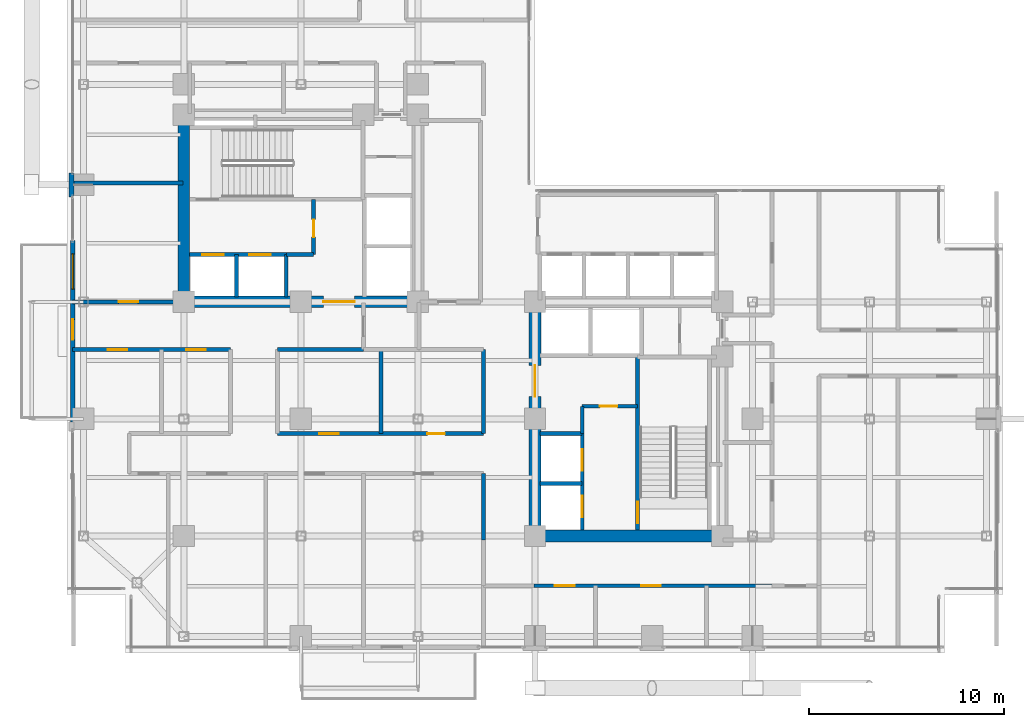
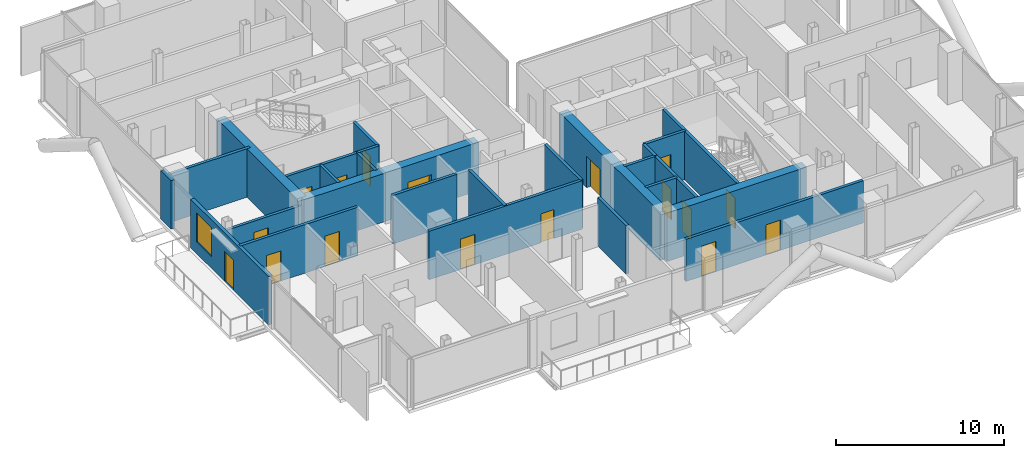
# One storey, part 19 of 24: 26 walls, 17 doors, 1 window, 18 openings.
"""IFC4 building model written with IfcOpenShell, lengths in metres."""

from ifc_helpers import new_model, si_unit, direction, frame, frame_2d, origin, place, context, subcontext, project, spatial, rectangle, extrude, material, layer, layer_set, type_object, element, fill, save


model = new_model("IFC4")

# Units and contexts
model_context = context("Model", 3, precision=1e-05, world=origin(), true_north=direction((0.0, 1.0)))
body_context = subcontext(model_context, "Body", "Model", "MODEL_VIEW")
ifc_project = project(units=[si_unit("LENGTHUNIT", "METRE"), si_unit("AREAUNIT", "SQUARE_METRE"), si_unit("VOLUMEUNIT", "CUBIC_METRE"), si_unit("PLANEANGLEUNIT", "RADIAN"), si_unit("MASSUNIT", "GRAM", prefix="KILO"), si_unit("THERMODYNAMICTEMPERATUREUNIT", "KELVIN"), si_unit("POWERUNIT", "WATT")], contexts=[model_context])

# Site, building, storey
site_placement = place(None, origin())
site = spatial("IfcSite", under=ifc_project, at=site_placement, CompositionType="ELEMENT")
building_placement = place(site_placement, origin())
building = spatial("IfcBuilding", under=site, at=building_placement, Name="Svarakhadi Broadcast Tower", CompositionType="ELEMENT")
storey_placement = place(building_placement, frame((0.0, 0.0, 115.64990234375)))
storey = spatial("IfcBuildingStorey", under=building, at=storey_placement, Name="L27", CompositionType="ELEMENT", Elevation=115.64990234375)

# Wall
ifc_material_1 = material(Name="Double-Stud Acoustic Studio Partition STC-62", Category="gypsum")
ifc_layer_1 = layer(ifc_material_1, 0.199951171875)
ifc_layer_set_1 = layer_set([ifc_layer_1], Name="Double-Stud Acoustic Studio Partition STC-62")
wall_type_1 = type_object("IfcWallType", Name="Wall_Acoust_200", PredefinedType="PARTITIONING", material=ifc_layer_set_1)
wall_1_placement = place(storey_placement, frame((16.10009765625, 11.25, 0.0), z_axis=(0.0, 0.0, 1.0), x_axis=(0.0, 1.0, 0.0)))
element("IfcWall", 1, at=wall_1_placement, inside=storey, type_object=wall_type_1, Name="L27 Central Review Briefing Pod Wall", PredefinedType="PARTITIONING", context=body_context, shape_type="SweptSolid", body=[
    extrude(rectangle(XDim=4.300048828125, YDim=0.199951171875, at=frame_2d((2.14990234375, 0.0))), origin(), (0.0, 0.0, 1.0), 3.525146484375),
])

# Wall, opening, door
wall_2_placement = place(storey_placement, frame((0.300048828125, 18.0, 0.0), z_axis=(0.0, 0.0, 1.0), x_axis=(1.0, 0.0, 0.0)))
wall_2 = element("IfcWall", 2, at=wall_2_placement, inside=storey, type_object=wall_type_1, Name="L27 Arabian Sea Executive Studio Wall", PredefinedType="PARTITIONING", context=body_context, shape_type="SweptSolid", body=[
    extrude(rectangle(XDim=5.64990234375, YDim=0.199951171875, at=frame_2d((2.824951171875, 0.0))), origin(), (0.0, 0.0, 1.0), 3.01708984375),
])
opening_1_placement = place(wall_2_placement, frame((2.35009765625, 0.0, 0.0)))
opening_1 = element("IfcOpeningElement", 3, at=opening_1_placement, cuts=wall_2, Name="Opening D-09", PredefinedType="OPENING", context=body_context, shape_type="SweptSolid", body=[
    extrude(rectangle(XDim=1.0, YDim=2.199951171875, at=frame_2d((0.5, 1.10009765625))), frame((0.0, 0.10986328125, 0.0), z_axis=(0.0, -1.0, 0.0), x_axis=(1.0, 0.0, 0.0)), (0.0, 0.0, 1.0), 0.219970703125),
])
ifc_material_2 = material(Name="Solid-Core Teak Veneer Acoustic Timber Leaf", Category="wood")
door_type_1 = type_object("IfcDoorType", Name="Door_Suite_D09", OperationType="SINGLE_SWING_RIGHT", PredefinedType="DOOR", material=ifc_material_2)
door_1_placement = place(opening_1_placement, origin())
door_1 = element("IfcDoor", 4, at=door_1_placement, inside=storey, type_object=door_type_1, Name="L27 Arabian Sea Executive Studio Door", OperationType="SINGLE_SWING_RIGHT", OverallHeight=2.199951171875, OverallWidth=1.0, PredefinedType="DOOR", context=body_context, shape_type="SweptSolid", body=[
    extrude(rectangle(XDim=1.0, YDim=2.199951171875, at=frame_2d((0.5, 1.10009765625))), frame((0.0, 0.02490234375, 0.0), z_axis=(0.0, -1.0, 0.0), x_axis=(1.0, 0.0, 0.0)), (0.0, 0.0, 1.0), 0.050048828125),
])
fill(opening_1, door_1)

# Wall
wall_3_placement = place(storey_placement, frame((0.300048828125, 24.10009765625, 0.0), z_axis=(0.0, 0.0, 1.0), x_axis=(1.0, 0.0, 0.0)))
element("IfcWall", 5, at=wall_3_placement, inside=storey, type_object=wall_type_1, Name="L27 Arabian Sea Executive Studio Wall", PredefinedType="PARTITIONING", context=body_context, shape_type="SweptSolid", body=[
    extrude(rectangle(XDim=5.64990234375, YDim=0.199951171875, at=frame_2d((2.824951171875, 0.0))), origin(), (0.0, 0.0, 1.0), 3.525146484375),
])

# Wall, openings, door, window
ifc_material_3 = material(Name="Concrete C40/50 (IS 456 M50)", Category="concrete")
ifc_layer_2 = layer(ifc_material_3, 0.239990234375)
ifc_layer_set_2 = layer_set([ifc_layer_2], Name="Concrete C40/50 (IS 456 M50)")
wall_type_2 = type_object("IfcWallType", Name="Wall_Ext_240", PredefinedType="SOLIDWALL", material=ifc_layer_set_2)
wall_4_placement = place(storey_placement, frame((0.300048828125, 11.85498046875, 0.0), z_axis=(0.0, 0.0, 1.0), x_axis=(0.0, 1.0, 0.0)))
wall_4 = element("IfcWall", 6, at=wall_4_placement, inside=storey, type_object=wall_type_2, Name="L27 West Tree Balcony Spandrel Wall", PredefinedType="SOLIDWALL", context=body_context, shape_type="SweptSolid", body=[
    extrude(rectangle(XDim=9.2900390625, YDim=0.239990234375, at=frame_2d((4.64501953125, 0.0))), origin(), (0.0, 0.0, 1.0), 3.525146484375),
])
opening_2_placement = place(wall_4_placement, frame((4.199951171875, 0.0, 0.0)))
opening_2 = element("IfcOpeningElement", 7, at=opening_2_placement, cuts=wall_4, Name="Opening ED-06", PredefinedType="OPENING", context=body_context, shape_type="SweptSolid", body=[
    extrude(rectangle(XDim=1.050048828125, YDim=2.199951171875, at=frame_2d((0.52490234375, 1.10009765625))), frame((0.0, 0.1298828125, 0.0), z_axis=(0.0, -1.0, 0.0), x_axis=(1.0, 0.0, 0.0)), (0.0, 0.0, 1.0), 0.260009765625),
])
opening_3_placement = place(wall_4_placement, frame((6.800048828125, 0.0, 0.85009765625)))
opening_3 = element("IfcOpeningElement", 8, at=opening_3_placement, cuts=wall_4, Name="Opening WN-02", PredefinedType="OPENING", context=body_context, shape_type="SweptSolid", body=[
    extrude(rectangle(XDim=1.800048828125, YDim=2.10009765625, at=frame_2d((0.89990234375, 1.050048828125))), frame((0.0, 0.1298828125, 0.0), z_axis=(0.0, -1.0, 0.0), x_axis=(1.0, 0.0, 0.0)), (0.0, 0.0, 1.0), 0.260009765625),
])
ifc_material_4 = material(Name="Anodised Bronze Aluminium AA 6063-T6", Category="aluminium")
door_type_2 = type_object("IfcDoorType", Name="Door_Ext_ED06", OperationType="SINGLE_SWING_RIGHT", PredefinedType="DOOR", material=ifc_material_4)
door_2_placement = place(opening_2_placement, origin())
door_2 = element("IfcDoor", 9, at=door_2_placement, inside=storey, type_object=door_type_2, Name="L27 West Tree Balcony Door", OperationType="SINGLE_SWING_RIGHT", OverallHeight=2.199951171875, OverallWidth=1.050048828125, PredefinedType="DOOR", context=body_context, shape_type="SweptSolid", body=[
    extrude(rectangle(XDim=1.050048828125, YDim=2.199951171875, at=frame_2d((0.52490234375, 1.10009765625))), frame((0.0, 0.02490234375, 0.0), z_axis=(0.0, -1.0, 0.0), x_axis=(1.0, 0.0, 0.0)), (0.0, 0.0, 1.0), 0.050048828125),
])
fill(opening_2, door_2)
ifc_material_5 = material(Name="Double Low-E Laminated Acoustic Glass IGU 36 mm", Category="glass")
window_type = type_object("IfcWindowType", Name="Win_Fixed_WN02", PartitioningType="SINGLE_PANEL", PredefinedType="WINDOW", material=ifc_material_5)
window_placement = place(opening_3_placement, origin())
window = element("IfcWindow", 10, at=window_placement, inside=storey, type_object=window_type, Name="L27 West Tree Balcony Window", OverallHeight=2.10009765625, OverallWidth=1.800048828125, PartitioningType="SINGLE_PANEL", PredefinedType="WINDOW", context=body_context, shape_type="SweptSolid", body=[
    extrude(rectangle(XDim=1.800048828125, YDim=2.10009765625, at=frame_2d((0.89990234375, 1.050048828125))), frame((0.0, 0.030029296875, 0.0), z_axis=(0.0, -1.0, 0.0), x_axis=(1.0, 0.0, 0.0)), (0.0, 0.0, 1.0), 0.06005859375),
])
fill(opening_3, window)

# Wall
wall_5_placement = place(storey_placement, frame((0.239990234375, 23.385009765625, 0.0), z_axis=(0.0, 0.0, 1.0), x_axis=(0.0, 1.0, 0.0)))
element("IfcWall", 11, at=wall_5_placement, inside=storey, type_object=wall_type_2, Name="L27 Perimeter Bronze Spandrel Closure Wall 02", PredefinedType="SOLIDWALL", context=body_context, shape_type="SweptSolid", body=[
    extrude(rectangle(XDim=1.22998046875, YDim=0.239990234375, at=frame_2d((0.614990234375, 0.0))), origin(), (0.0, 0.0, 1.0), 3.525146484375),
])

# Wall, openings, doors
ifc_layer_3 = layer(ifc_material_3, 0.199951171875)
ifc_layer_set_3 = layer_set([ifc_layer_3], Name="Concrete C40/50 (IS 456 M50)")
wall_type_3 = type_object("IfcWallType", Name="Wall_Fire_200", PredefinedType="SOLIDWALL", material=ifc_layer_set_3)
wall_6_placement = place(storey_placement, frame((8.39990234375, 15.550048828125, 0.0), z_axis=(0.0, 0.0, 1.0), x_axis=(-1.0, 0.0, 0.0)))
wall_6 = element("IfcWall", 12, at=wall_6_placement, inside=storey, type_object=wall_type_3, Name="L27 Zone 2/3 Corridor Wall", PredefinedType="SOLIDWALL", context=body_context, shape_type="SweptSolid", body=[
    extrude(rectangle(XDim=8.099853515625, YDim=0.199951171875, at=frame_2d((4.0498046875, 0.0))), origin(), (0.0, 0.0, 1.0), 3.525146484375),
])
opening_4_placement = place(wall_6_placement, frame((5.300048828125, 0.0, 0.0)))
opening_4 = element("IfcOpeningElement", 13, at=opening_4_placement, cuts=wall_6, Name="Opening D-08", PredefinedType="OPENING", context=body_context, shape_type="SweptSolid", body=[
    extrude(rectangle(XDim=1.0, YDim=2.199951171875, at=frame_2d((0.5, 1.10009765625))), frame((0.0, 0.10986328125, 0.0), z_axis=(0.0, -1.0, 0.0), x_axis=(1.0, 0.0, 0.0)), (0.0, 0.0, 1.0), 0.219970703125),
])
opening_5_placement = place(wall_6_placement, frame((1.27490234375, 0.0, 0.0)))
opening_5 = element("IfcOpeningElement", 14, at=opening_5_placement, cuts=wall_6, Name="Opening D-09", PredefinedType="OPENING", context=body_context, shape_type="SweptSolid", body=[
    extrude(rectangle(XDim=1.0, YDim=2.199951171875, at=frame_2d((0.5, 1.10009765625))), frame((0.0, 0.10986328125, 0.0), z_axis=(0.0, -1.0, 0.0), x_axis=(1.0, 0.0, 0.0)), (0.0, 0.0, 1.0), 0.219970703125),
])
door_type_3 = type_object("IfcDoorType", Name="Door_Suite_D08", OperationType="SINGLE_SWING_LEFT", PredefinedType="DOOR", material=ifc_material_2)
door_3_placement = place(opening_4_placement, origin())
door_3 = element("IfcDoor", 15, at=door_3_placement, inside=storey, type_object=door_type_3, Name="L27 Voiceover Booth Door", OperationType="SINGLE_SWING_LEFT", OverallHeight=2.199951171875, OverallWidth=1.0, PredefinedType="DOOR", context=body_context, shape_type="SweptSolid", body=[
    extrude(rectangle(XDim=1.0, YDim=2.199951171875, at=frame_2d((0.5, 1.10009765625))), frame((0.0, 0.02490234375, 0.0), z_axis=(0.0, -1.0, 0.0), x_axis=(1.0, 0.0, 0.0)), (0.0, 0.0, 1.0), 0.050048828125),
])
fill(opening_4, door_3)
door_4_placement = place(opening_5_placement, origin())
door_4 = element("IfcDoor", 16, at=door_4_placement, inside=storey, type_object=door_type_1, Name="L27 Foley Studio Door", OperationType="SINGLE_SWING_RIGHT", OverallHeight=2.199951171875, OverallWidth=1.0, PredefinedType="DOOR", context=body_context, shape_type="SweptSolid", body=[
    extrude(rectangle(XDim=1.0, YDim=2.199951171875, at=frame_2d((0.5, 1.10009765625))), frame((0.0, 0.02490234375, 0.0), z_axis=(0.0, -1.0, 0.0), x_axis=(1.0, 0.0, 0.0)), (0.0, 0.0, 1.0), 0.050048828125),
])
fill(opening_5, door_4)

# Wall
wall_7_placement = place(storey_placement, frame((15.199951171875, 15.550048828125, 0.0), z_axis=(0.0, 0.0, 1.0), x_axis=(-1.0, 0.0, 0.0)))
element("IfcWall", 17, at=wall_7_placement, inside=storey, type_object=wall_type_3, Name="L27 Zone 2/3 Corridor Wall", PredefinedType="SOLIDWALL", context=body_context, shape_type="SweptSolid", body=[
    extrude(rectangle(XDim=4.39990234375, YDim=0.199951171875, at=frame_2d((2.199951171875, 0.0))), origin(), (0.0, 0.0, 1.0), 3.525146484375),
])

# Wall, openings, doors
wall_8_placement = place(storey_placement, frame((10.800048828125, 11.25, 0.0), z_axis=(0.0, 0.0, 1.0), x_axis=(1.0, 0.0, 0.0)))
wall_8 = element("IfcWall", 18, at=wall_8_placement, inside=storey, type_object=wall_type_3, Name="L27 Zone 2/3 Corridor Wall", PredefinedType="SOLIDWALL", context=body_context, shape_type="SweptSolid", body=[
    extrude(rectangle(XDim=10.550048828125, YDim=0.199951171875, at=frame_2d((5.27490234375, 0.0))), origin(), (0.0, 0.0, 1.0), 3.525146484375),
])
opening_6_placement = place(wall_8_placement, frame((2.14990234375, 0.0, 0.0)))
opening_6 = element("IfcOpeningElement", 19, at=opening_6_placement, cuts=wall_8, Name="Opening D-09", PredefinedType="OPENING", context=body_context, shape_type="SweptSolid", body=[
    extrude(rectangle(XDim=1.0, YDim=2.199951171875, at=frame_2d((0.5, 1.10009765625))), frame((0.0, 0.10986328125, 0.0), z_axis=(0.0, -1.0, 0.0), x_axis=(1.0, 0.0, 0.0)), (0.0, 0.0, 1.0), 0.219970703125),
])
opening_7_placement = place(wall_8_placement, frame((7.679931640625, 0.0, 0.0)))
opening_7 = element("IfcOpeningElement", 20, at=opening_7_placement, cuts=wall_8, Name="Opening D-13", PredefinedType="OPENING", context=body_context, shape_type="SweptSolid", body=[
    extrude(rectangle(XDim=0.89990234375, YDim=2.10009765625, at=frame_2d((0.449951171875, 1.050048828125))), frame((0.0, 0.10986328125, 0.0), z_axis=(0.0, -1.0, 0.0), x_axis=(1.0, 0.0, 0.0)), (0.0, 0.0, 1.0), 0.219970703125),
])
door_type_4 = type_object("IfcDoorType", Name="Door_Closet_D13", OperationType="SINGLE_SWING_RIGHT", PredefinedType="DOOR", material=ifc_material_2)
door_5_placement = place(opening_7_placement, origin())
door_5 = element("IfcDoor", 21, at=door_5_placement, inside=storey, type_object=door_type_4, Name="L27 Accessible Floor Washroom WC Door", OperationType="SINGLE_SWING_RIGHT", OverallHeight=2.10009765625, OverallWidth=0.89990234375, PredefinedType="DOOR", context=body_context, shape_type="SweptSolid", body=[
    extrude(rectangle(XDim=0.89990234375, YDim=2.10009765625, at=frame_2d((0.449951171875, 1.050048828125))), frame((0.0, 0.02490234375, 0.0), z_axis=(0.0, -1.0, 0.0), x_axis=(1.0, 0.0, 0.0)), (0.0, 0.0, 1.0), 0.050048828125),
])
fill(opening_7, door_5)
door_6_placement = place(opening_6_placement, origin())
door_6 = element("IfcDoor", 22, at=door_6_placement, inside=storey, type_object=door_type_1, Name="L27 Central Review Briefing Pod Door", OperationType="SINGLE_SWING_RIGHT", OverallHeight=2.199951171875, OverallWidth=1.0, PredefinedType="DOOR", context=body_context, shape_type="SweptSolid", body=[
    extrude(rectangle(XDim=1.0, YDim=2.199951171875, at=frame_2d((0.5, 1.10009765625))), frame((0.0, 0.02490234375, 0.0), z_axis=(0.0, -1.0, 0.0), x_axis=(1.0, 0.0, 0.0)), (0.0, 0.0, 1.0), 0.050048828125),
])
fill(opening_6, door_6)

# Wall
wall_9_placement = place(storey_placement, frame((21.35009765625, 11.25, 0.0), z_axis=(0.0, 0.0, 1.0), x_axis=(0.0, 1.0, 0.0)))
element("IfcWall", 23, at=wall_9_placement, inside=storey, type_object=wall_type_3, Name="L27 Zone 2/3 Corridor Wall", PredefinedType="SOLIDWALL", context=body_context, shape_type="SweptSolid", body=[
    extrude(rectangle(XDim=4.300048828125, YDim=0.199951171875, at=frame_2d((2.14990234375, 0.0))), origin(), (0.0, 0.0, 1.0), 3.525146484375),
])

# Wall, openings, doors
wall_10_placement = place(storey_placement, frame((36.14990234375, 3.449951171875, 0.0), z_axis=(0.0, 0.0, 1.0), x_axis=(-1.0, 0.0, 0.0)))
wall_10 = element("IfcWall", 24, at=wall_10_placement, inside=storey, type_object=wall_type_3, Name="L27 Zone 2/3 Corridor Wall", PredefinedType="SOLIDWALL", context=body_context, shape_type="SweptSolid", body=[
    extrude(rectangle(XDim=12.199951171875, YDim=0.199951171875, at=frame_2d((6.10009765625, 0.0))), origin(), (0.0, 0.0, 1.0), 3.067138671875),
])
opening_8_placement = place(wall_10_placement, frame((10.125, 0.0, 0.0)))
opening_8 = element("IfcOpeningElement", 25, at=opening_8_placement, cuts=wall_10, Name="Opening D-09", PredefinedType="OPENING", context=body_context, shape_type="SweptSolid", body=[
    extrude(rectangle(XDim=1.0, YDim=2.199951171875, at=frame_2d((0.5, 1.10009765625))), frame((0.0, 0.10986328125, 0.0), z_axis=(0.0, -1.0, 0.0), x_axis=(1.0, 0.0, 0.0)), (0.0, 0.0, 1.0), 0.219970703125),
])
opening_9_placement = place(wall_10_placement, frame((5.699951171875, 0.0, 0.0)))
opening_9 = element("IfcOpeningElement", 26, at=opening_9_placement, cuts=wall_10, Name="Opening D-08", PredefinedType="OPENING", context=body_context, shape_type="SweptSolid", body=[
    extrude(rectangle(XDim=1.0, YDim=2.199951171875, at=frame_2d((0.5, 1.10009765625))), frame((0.0, 0.10986328125, 0.0), z_axis=(0.0, -1.0, 0.0), x_axis=(1.0, 0.0, 0.0)), (0.0, 0.0, 1.0), 0.219970703125),
])
door_7_placement = place(opening_9_placement, origin())
door_7 = element("IfcDoor", 27, at=door_7_placement, inside=storey, type_object=door_type_3, Name="L27 Client Preview Briefing Room Door", OperationType="SINGLE_SWING_LEFT", OverallHeight=2.199951171875, OverallWidth=1.0, PredefinedType="DOOR", context=body_context, shape_type="SweptSolid", body=[
    extrude(rectangle(XDim=1.0, YDim=2.199951171875, at=frame_2d((0.5, 1.10009765625))), frame((0.0, 0.02490234375, 0.0), z_axis=(0.0, -1.0, 0.0), x_axis=(1.0, 0.0, 0.0)), (0.0, 0.0, 1.0), 0.050048828125),
])
fill(opening_9, door_7)
door_8_placement = place(opening_8_placement, origin())
door_8 = element("IfcDoor", 28, at=door_8_placement, inside=storey, type_object=door_type_1, Name="L27 Harbour Front Production Office Door", OperationType="SINGLE_SWING_RIGHT", OverallHeight=2.199951171875, OverallWidth=1.0, PredefinedType="DOOR", context=body_context, shape_type="SweptSolid", body=[
    extrude(rectangle(XDim=1.0, YDim=2.199951171875, at=frame_2d((0.5, 1.10009765625))), frame((0.0, 0.02490234375, 0.0), z_axis=(0.0, -1.0, 0.0), x_axis=(1.0, 0.0, 0.0)), (0.0, 0.0, 1.0), 0.050048828125),
])
fill(opening_8, door_8)

# Wall
wall_11_placement = place(storey_placement, frame((21.35009765625, 5.800048828125, 0.0), z_axis=(0.0, 0.0, 1.0), x_axis=(0.0, 1.0, 0.0)))
element("IfcWall", 29, at=wall_11_placement, inside=storey, type_object=wall_type_3, Name="L27 Zone 2/3 Corridor Wall", PredefinedType="SOLIDWALL", context=body_context, shape_type="SweptSolid", body=[
    extrude(rectangle(XDim=3.39990234375, YDim=0.199951171875, at=frame_2d((1.699951171875, 0.0))), origin(), (0.0, 0.0, 1.0), 3.525146484375),
])

# Wall, opening, door
ifc_material_6 = material(Name="Concrete C50/60 (IS 456 M60)", Category="concrete")
ifc_layer_4 = layer(ifc_material_6, 0.199951171875)
ifc_layer_set_4 = layer_set([ifc_layer_4], Name="Concrete C50/60 (IS 456 M60)")
wall_type_4 = type_object("IfcWallType", Name="Wall_Shear_200", PredefinedType="SHEAR", material=ifc_layer_set_4)
wall_12_placement = place(storey_placement, frame((29.260009765625, 6.300048828125, 0.0), z_axis=(0.0, 0.0, 1.0), x_axis=(0.0, 1.0, 0.0)))
wall_12 = element("IfcWall", 30, at=wall_12_placement, inside=storey, type_object=wall_type_4, Name="L27 Stair ST-02 West RC Shaft Wall", PredefinedType="SHEAR", context=body_context, shape_type="SweptSolid", body=[
    extrude(rectangle(XDim=8.8798828125, YDim=0.199951171875, at=frame_2d((4.43994140625, 0.0))), origin(), (0.0, 0.0, 1.0), 3.525146484375),
])
opening_10_placement = place(wall_12_placement, frame((0.35009765625, 0.0, 0.0)))
opening_10 = element("IfcOpeningElement", 31, at=opening_10_placement, cuts=wall_12, Name="Opening D-02", PredefinedType="OPENING", context=body_context, shape_type="SweptSolid", body=[
    extrude(rectangle(XDim=1.10009765625, YDim=2.199951171875, at=frame_2d((0.550048828125, 1.10009765625))), frame((0.0, 0.10986328125, 0.0), z_axis=(0.0, -1.0, 0.0), x_axis=(1.0, 0.0, 0.0)), (0.0, 0.0, 1.0), 0.219970703125),
])
ifc_material_7 = material(Name="Galvanised Powder-Coated Fire-Rated Steel Leaf", Category="steel")
door_type_5 = type_object("IfcDoorType", Name="Door_Stair_D02", OperationType="SINGLE_SWING_RIGHT", PredefinedType="DOOR", material=ifc_material_7)
door_9_placement = place(opening_10_placement, origin())
door_9 = element("IfcDoor", 32, at=door_9_placement, inside=storey, type_object=door_type_5, Name="L27 Protected Exit Stair ST-02 Fire Door", OperationType="SINGLE_SWING_RIGHT", OverallHeight=2.199951171875, OverallWidth=1.10009765625, PredefinedType="DOOR", context=body_context, shape_type="SweptSolid", body=[
    extrude(rectangle(XDim=1.10009765625, YDim=2.199951171875, at=frame_2d((0.550048828125, 1.10009765625))), frame((0.0, 0.02490234375, 0.0), z_axis=(0.0, -1.0, 0.0), x_axis=(1.0, 0.0, 0.0)), (0.0, 0.0, 1.0), 0.050048828125),
])
fill(opening_10, door_9)

# Wall, openings, doors
wall_13_placement = place(storey_placement, frame((6.300048828125, 20.419921875, 0.0), z_axis=(0.0, 0.0, 1.0), x_axis=(1.0, 0.0, 0.0)))
wall_13 = element("IfcWall", 33, at=wall_13_placement, inside=storey, type_object=wall_type_4, Name="L27 Firefighting Lift LF-01/02 Shaft Wall", PredefinedType="SHEAR", context=body_context, shape_type="SweptSolid", body=[
    extrude(rectangle(XDim=4.949951171875, YDim=0.199951171875, at=frame_2d((2.47509765625, 0.0))), origin(), (0.0, 0.0, 1.0), 3.525146484375),
])
opening_11_placement = place(wall_13_placement, frame((0.64990234375, 0.0, 0.0)))
opening_11 = element("IfcOpeningElement", 34, at=opening_11_placement, cuts=wall_13, Name="Opening LD-01", PredefinedType="OPENING", context=body_context, shape_type="SweptSolid", body=[
    extrude(rectangle(XDim=1.10009765625, YDim=2.199951171875, at=frame_2d((0.550048828125, 1.10009765625))), frame((0.0, 0.10986328125, 0.0), z_axis=(0.0, -1.0, 0.0), x_axis=(1.0, 0.0, 0.0)), (0.0, 0.0, 1.0), 0.219970703125),
])
opening_12_placement = place(wall_13_placement, frame((3.050048828125, 0.0, 0.0)))
opening_12 = element("IfcOpeningElement", 35, at=opening_12_placement, cuts=wall_13, Name="Opening LD-01", PredefinedType="OPENING", context=body_context, shape_type="SweptSolid", body=[
    extrude(rectangle(XDim=1.10009765625, YDim=2.199951171875, at=frame_2d((0.550048828125, 1.10009765625))), frame((0.0, 0.10986328125, 0.0), z_axis=(0.0, -1.0, 0.0), x_axis=(1.0, 0.0, 0.0)), (0.0, 0.0, 1.0), 0.219970703125),
])
door_type_6 = type_object("IfcDoorType", Name="Door_Lift_LD01", OperationType="SLIDING_TO_LEFT", PredefinedType="DOOR", material=ifc_material_7)
door_10_placement = place(opening_11_placement, origin())
door_10 = element("IfcDoor", 36, at=door_10_placement, inside=storey, type_object=door_type_6, Name="L27 Firefighting Lift LF-01 Landing Door", OperationType="SLIDING_TO_LEFT", OverallHeight=2.199951171875, OverallWidth=1.10009765625, PredefinedType="DOOR", context=body_context, shape_type="SweptSolid", body=[
    extrude(rectangle(XDim=1.10009765625, YDim=2.199951171875, at=frame_2d((0.550048828125, 1.10009765625))), frame((0.0, 0.02490234375, 0.0), z_axis=(0.0, -1.0, 0.0), x_axis=(1.0, 0.0, 0.0)), (0.0, 0.0, 1.0), 0.050048828125),
])
fill(opening_11, door_10)
door_11_placement = place(opening_12_placement, origin())
door_11 = element("IfcDoor", 37, at=door_11_placement, inside=storey, type_object=door_type_6, Name="L27 Firefighting Lift LF-02 Landing Door", OperationType="SLIDING_TO_LEFT", OverallHeight=2.199951171875, OverallWidth=1.10009765625, PredefinedType="DOOR", context=body_context, shape_type="SweptSolid", body=[
    extrude(rectangle(XDim=1.10009765625, YDim=2.199951171875, at=frame_2d((0.550048828125, 1.10009765625))), frame((0.0, 0.02490234375, 0.0), z_axis=(0.0, -1.0, 0.0), x_axis=(1.0, 0.0, 0.0)), (0.0, 0.0, 1.0), 0.050048828125),
])
fill(opening_12, door_11)

# Walls
for number, where, z_axis, x_axis, name in (
    (38, (8.699951171875, 18.25, 0.0), (0.0, 0.0, 1.0), (0.0, 1.0, 0.0), "L27 Firefighting Lift LF-01/02 Divider Wall"),
    (39, (11.25, 18.25, 0.0), (0.0, 0.0, 1.0), (0.0, 1.0, 0.0), "L27 Firefighting Lift LF-02 East Wall"),
):
    element("IfcWall", number, at=place(storey_placement, frame(where, z_axis=z_axis, x_axis=x_axis)), inside=storey, type_object=wall_type_4, Name=name, PredefinedType="SHEAR", context=body_context, shape_type="SweptSolid", body=[
        extrude(rectangle(XDim=2.169921875, YDim=0.199951171875, at=frame_2d((1.0849609375, 0.0))), origin(), (0.0, 0.0, 1.0), 3.525146484375),
    ])
wall_14_placement = place(storey_placement, frame((11.25, 20.419921875, 0.0), z_axis=(0.0, 0.0, 1.0), x_axis=(1.0, 0.0, 0.0)))
element("IfcWall", 40, at=wall_14_placement, inside=storey, type_object=wall_type_4, Name="L27 West Firefighting Lobby South Wall", PredefinedType="SHEAR", context=body_context, shape_type="SweptSolid", body=[
    extrude(rectangle(XDim=1.39990234375, YDim=0.199951171875, at=frame_2d((0.699951171875, 0.0))), origin(), (0.0, 0.0, 1.0), 3.525146484375),
])

# Wall, opening, door
wall_15_placement = place(storey_placement, frame((12.64990234375, 20.419921875, 0.0), z_axis=(0.0, 0.0, 1.0), x_axis=(0.0, 1.0, 0.0)))
wall_15 = element("IfcWall", 41, at=wall_15_placement, inside=storey, type_object=wall_type_4, Name="L27 West Firefighting Lobby East Wall", PredefinedType="SHEAR", context=body_context, shape_type="SweptSolid", body=[
    extrude(rectangle(XDim=2.840087890625, YDim=0.199951171875, at=frame_2d((1.419921875, 0.0))), origin(), (0.0, 0.0, 1.0), 3.525146484375),
])
opening_13_placement = place(wall_15_placement, frame((0.89990234375, 0.0, 0.0)))
opening_13 = element("IfcOpeningElement", 42, at=opening_13_placement, cuts=wall_15, Name="Opening D-03", PredefinedType="OPENING", context=body_context, shape_type="SweptSolid", body=[
    extrude(rectangle(XDim=0.89990234375, YDim=2.14990234375, at=frame_2d((0.449951171875, 1.074951171875))), frame((0.0, 0.10986328125, 0.0), z_axis=(0.0, -1.0, 0.0), x_axis=(1.0, 0.0, 0.0)), (0.0, 0.0, 1.0), 0.219970703125),
])
door_type_7 = type_object("IfcDoorType", Name="Door_Fire_D03", OperationType="SINGLE_SWING_LEFT", PredefinedType="DOOR", material=ifc_material_7)
door_12_placement = place(opening_13_placement, origin())
door_12 = element("IfcDoor", 43, at=door_12_placement, inside=storey, type_object=door_type_7, Name="L27 West Firefighting Lobby Fire Door", OperationType="SINGLE_SWING_LEFT", OverallHeight=2.14990234375, OverallWidth=0.89990234375, PredefinedType="DOOR", context=body_context, shape_type="SweptSolid", body=[
    extrude(rectangle(XDim=0.89990234375, YDim=2.14990234375, at=frame_2d((0.449951171875, 1.074951171875))), frame((0.0, 0.02490234375, 0.0), z_axis=(0.0, -1.0, 0.0), x_axis=(1.0, 0.0, 0.0)), (0.0, 0.0, 1.0), 0.050048828125),
])
fill(opening_13, door_12)

# Wall, openings, doors
wall_16_placement = place(storey_placement, frame((26.419921875, 6.300048828125, 0.0), z_axis=(0.0, 0.0, 1.0), x_axis=(0.0, 1.0, 0.0)))
wall_16 = element("IfcWall", 44, at=wall_16_placement, inside=storey, type_object=wall_type_4, Name="L27 Firefighting Lift LF-03/04 Shaft Wall", PredefinedType="SHEAR", context=body_context, shape_type="SweptSolid", body=[
    extrude(rectangle(XDim=4.949951171875, YDim=0.199951171875, at=frame_2d((2.47509765625, 0.0))), origin(), (0.0, 0.0, 1.0), 3.525146484375),
])
opening_14_placement = place(wall_16_placement, frame((0.64990234375, 0.0, 0.0)))
opening_14 = element("IfcOpeningElement", 45, at=opening_14_placement, cuts=wall_16, Name="Opening LD-01", PredefinedType="OPENING", context=body_context, shape_type="SweptSolid", body=[
    extrude(rectangle(XDim=1.10009765625, YDim=2.199951171875, at=frame_2d((0.550048828125, 1.10009765625))), frame((0.0, 0.10986328125, 0.0), z_axis=(0.0, -1.0, 0.0), x_axis=(1.0, 0.0, 0.0)), (0.0, 0.0, 1.0), 0.219970703125),
])
opening_15_placement = place(wall_16_placement, frame((3.050048828125, 0.0, 0.0)))
opening_15 = element("IfcOpeningElement", 46, at=opening_15_placement, cuts=wall_16, Name="Opening LD-01", PredefinedType="OPENING", context=body_context, shape_type="SweptSolid", body=[
    extrude(rectangle(XDim=1.10009765625, YDim=2.199951171875, at=frame_2d((0.550048828125, 1.10009765625))), frame((0.0, 0.10986328125, 0.0), z_axis=(0.0, -1.0, 0.0), x_axis=(1.0, 0.0, 0.0)), (0.0, 0.0, 1.0), 0.219970703125),
])
door_13_placement = place(opening_14_placement, origin())
door_13 = element("IfcDoor", 47, at=door_13_placement, inside=storey, type_object=door_type_6, Name="L27 Firefighting Lift LF-03 Landing Door", OperationType="SLIDING_TO_LEFT", OverallHeight=2.199951171875, OverallWidth=1.10009765625, PredefinedType="DOOR", context=body_context, shape_type="SweptSolid", body=[
    extrude(rectangle(XDim=1.10009765625, YDim=2.199951171875, at=frame_2d((0.550048828125, 1.10009765625))), frame((0.0, 0.02490234375, 0.0), z_axis=(0.0, -1.0, 0.0), x_axis=(1.0, 0.0, 0.0)), (0.0, 0.0, 1.0), 0.050048828125),
])
fill(opening_14, door_13)
door_14_placement = place(opening_15_placement, origin())
door_14 = element("IfcDoor", 48, at=door_14_placement, inside=storey, type_object=door_type_6, Name="L27 Firefighting Lift LF-04 Landing Door", OperationType="SLIDING_TO_LEFT", OverallHeight=2.199951171875, OverallWidth=1.10009765625, PredefinedType="DOOR", context=body_context, shape_type="SweptSolid", body=[
    extrude(rectangle(XDim=1.10009765625, YDim=2.199951171875, at=frame_2d((0.550048828125, 1.10009765625))), frame((0.0, 0.02490234375, 0.0), z_axis=(0.0, -1.0, 0.0), x_axis=(1.0, 0.0, 0.0)), (0.0, 0.0, 1.0), 0.050048828125),
])
fill(opening_15, door_14)

# Walls
for number, where, z_axis, x_axis, name in (
    (49, (24.25, 8.699951171875, 0.0), (0.0, 0.0, 1.0), (1.0, 0.0, 0.0), "L27 Firefighting Lift LF-03/04 Divider Wall"),
    (50, (24.25, 11.25, 0.0), (0.0, 0.0, 1.0), (1.0, 0.0, 0.0), "L27 Firefighting Lift LF-04 North Wall"),
):
    element("IfcWall", number, at=place(storey_placement, frame(where, z_axis=z_axis, x_axis=x_axis)), inside=storey, type_object=wall_type_4, Name=name, PredefinedType="SHEAR", context=body_context, shape_type="SweptSolid", body=[
        extrude(rectangle(XDim=2.169921875, YDim=0.199951171875, at=frame_2d((1.0849609375, 0.0))), origin(), (0.0, 0.0, 1.0), 3.525146484375),
    ])
wall_17_placement = place(storey_placement, frame((26.419921875, 11.25, 0.0), z_axis=(0.0, 0.0, 1.0), x_axis=(0.0, 1.0, 0.0)))
element("IfcWall", 51, at=wall_17_placement, inside=storey, type_object=wall_type_4, Name="L27 East Firefighting Lobby West Wall", PredefinedType="SHEAR", context=body_context, shape_type="SweptSolid", body=[
    extrude(rectangle(XDim=1.39990234375, YDim=0.199951171875, at=frame_2d((0.699951171875, 0.0))), origin(), (0.0, 0.0, 1.0), 3.525146484375),
])

# Wall, opening, door
wall_18_placement = place(storey_placement, frame((26.419921875, 12.64990234375, 0.0), z_axis=(0.0, 0.0, 1.0), x_axis=(1.0, 0.0, 0.0)))
wall_18 = element("IfcWall", 52, at=wall_18_placement, inside=storey, type_object=wall_type_4, Name="L27 East Firefighting Lobby North Wall", PredefinedType="SHEAR", context=body_context, shape_type="SweptSolid", body=[
    extrude(rectangle(XDim=2.840087890625, YDim=0.199951171875, at=frame_2d((1.419921875, 0.0))), origin(), (0.0, 0.0, 1.0), 3.525146484375),
])
opening_16_placement = place(wall_18_placement, frame((0.89990234375, 0.0, 0.0)))
opening_16 = element("IfcOpeningElement", 53, at=opening_16_placement, cuts=wall_18, Name="Opening D-04", PredefinedType="OPENING", context=body_context, shape_type="SweptSolid", body=[
    extrude(rectangle(XDim=0.89990234375, YDim=2.14990234375, at=frame_2d((0.449951171875, 1.074951171875))), frame((0.0, 0.10986328125, 0.0), z_axis=(0.0, -1.0, 0.0), x_axis=(1.0, 0.0, 0.0)), (0.0, 0.0, 1.0), 0.219970703125),
])
door_type_8 = type_object("IfcDoorType", Name="Door_Fire_D04", OperationType="SINGLE_SWING_RIGHT", PredefinedType="DOOR", material=ifc_material_7)
door_15_placement = place(opening_16_placement, origin())
door_15 = element("IfcDoor", 54, at=door_15_placement, inside=storey, type_object=door_type_8, Name="L27 East Firefighting Lobby Fire Door", OperationType="SINGLE_SWING_RIGHT", OverallHeight=2.14990234375, OverallWidth=0.89990234375, PredefinedType="DOOR", context=body_context, shape_type="SweptSolid", body=[
    extrude(rectangle(XDim=0.89990234375, YDim=2.14990234375, at=frame_2d((0.449951171875, 1.074951171875))), frame((0.0, 0.02490234375, 0.0), z_axis=(0.0, -1.0, 0.0), x_axis=(1.0, 0.0, 0.0)), (0.0, 0.0, 1.0), 0.050048828125),
])
fill(opening_16, door_15)

ifc_material_8 = material(Name="Concrete C60/75 (IS 456 M70)", Category="concrete")
ifc_layer_5 = layer(ifc_material_8, 0.60009765625)
ifc_layer_set_5 = layer_set([ifc_layer_5], Name="Concrete C60/75 (IS 456 M70)")
wall_type_5 = type_object("IfcWallType", Name="Wall_Shear_600", PredefinedType="SHEAR", material=ifc_layer_set_5)
wall_19_placement = place(storey_placement, frame((6.0, 18.0, 0.0), z_axis=(0.0, 0.0, 1.0), x_axis=(1.0, 0.0, 0.0)))
wall_19 = element("IfcWall", 55, at=wall_19_placement, inside=storey, type_object=wall_type_5, Name="L27 West Core South Shear Wall", PredefinedType="SHEAR", context=body_context, shape_type="SweptSolid", body=[
    extrude(rectangle(XDim=12.0, YDim=0.60009765625, at=frame_2d((6.0, 0.0))), origin(), (0.0, 0.0, 1.0), 3.525146484375),
])
opening_17_placement = place(wall_19_placement, frame((7.14990234375, 0.0, 0.0)))
opening_17 = element("IfcOpeningElement", 56, at=opening_17_placement, cuts=wall_19, Name="Opening D-05", PredefinedType="OPENING", context=body_context, shape_type="SweptSolid", body=[
    extrude(rectangle(XDim=1.60009765625, YDim=2.300048828125, at=frame_2d((0.800048828125, 1.14990234375))), frame((0.0, 0.31005859375, 0.0), z_axis=(0.0, -1.0, 0.0), x_axis=(1.0, 0.0, 0.0)), (0.0, 0.0, 1.0), 0.6201171875),
])
door_type_9 = type_object("IfcDoorType", Name="Door_Lobby_D05", OperationType="DOUBLE_DOOR_SLIDING", PredefinedType="DOOR", material=ifc_material_4)
door_16_placement = place(opening_17_placement, origin())
door_16 = element("IfcDoor", 57, at=door_16_placement, inside=storey, type_object=door_type_9, Name="L27 West Core Passenger Lift Lobby Entrance Door", OperationType="DOUBLE_DOOR_SLIDING", OverallHeight=2.300048828125, OverallWidth=1.60009765625, PredefinedType="DOOR", context=body_context, shape_type="SweptSolid", body=[
    extrude(rectangle(XDim=1.60009765625, YDim=2.300048828125, at=frame_2d((0.800048828125, 1.14990234375))), frame((0.0, 0.02490234375, 0.0), z_axis=(0.0, -1.0, 0.0), x_axis=(1.0, 0.0, 0.0)), (0.0, 0.0, 1.0), 0.050048828125),
])
fill(opening_17, door_16)

# Walls
for number, where, z_axis, x_axis, name in (
    (58, (6.0, 18.0, 0.0), (0.0, 0.0, 1.0), (0.0, 1.0, 0.0), "L27 West Core West Shear Wall"),
    (59, (24.0, 6.0, 0.0), (0.0, 0.0, 1.0), (1.0, 0.0, 0.0), "L27 East Core South Shear Wall"),
):
    element("IfcWall", number, at=place(storey_placement, frame(where, z_axis=z_axis, x_axis=x_axis)), inside=storey, type_object=wall_type_5, Name=name, PredefinedType="SHEAR", context=body_context, shape_type="SweptSolid", body=[
        extrude(rectangle(XDim=9.60009765625, YDim=0.60009765625, at=frame_2d((4.800048828125, 0.0))), origin(), (0.0, 0.0, 1.0), 3.525146484375),
    ])

# Wall, opening, door
wall_20_placement = place(storey_placement, frame((24.0, 6.0, 0.0), z_axis=(0.0, 0.0, 1.0), x_axis=(0.0, 1.0, 0.0)))
wall_20 = element("IfcWall", 60, at=wall_20_placement, inside=storey, type_object=wall_type_5, Name="L27 East Core West Shear Wall", PredefinedType="SHEAR", context=body_context, shape_type="SweptSolid", body=[
    extrude(rectangle(XDim=12.0, YDim=0.60009765625, at=frame_2d((6.0, 0.0))), origin(), (0.0, 0.0, 1.0), 3.525146484375),
])
opening_18_placement = place(wall_20_placement, frame((7.14990234375, 0.0, 0.0)))
opening_18 = element("IfcOpeningElement", 61, at=opening_18_placement, cuts=wall_20, Name="Opening D-05", PredefinedType="OPENING", context=body_context, shape_type="SweptSolid", body=[
    extrude(rectangle(XDim=1.60009765625, YDim=2.300048828125, at=frame_2d((0.800048828125, 1.14990234375))), frame((0.0, 0.31005859375, 0.0), z_axis=(0.0, -1.0, 0.0), x_axis=(1.0, 0.0, 0.0)), (0.0, 0.0, 1.0), 0.6201171875),
])
door_17_placement = place(opening_18_placement, origin())
door_17 = element("IfcDoor", 62, at=door_17_placement, inside=storey, type_object=door_type_9, Name="L27 East Core Passenger Lift Lobby Entrance Door", OperationType="DOUBLE_DOOR_SLIDING", OverallHeight=2.300048828125, OverallWidth=1.60009765625, PredefinedType="DOOR", context=body_context, shape_type="SweptSolid", body=[
    extrude(rectangle(XDim=1.60009765625, YDim=2.300048828125, at=frame_2d((0.800048828125, 1.14990234375))), frame((0.0, 0.02490234375, 0.0), z_axis=(0.0, -1.0, 0.0), x_axis=(1.0, 0.0, 0.0)), (0.0, 0.0, 1.0), 0.050048828125),
])
fill(opening_18, door_17)

save(model, "model.ifc")
